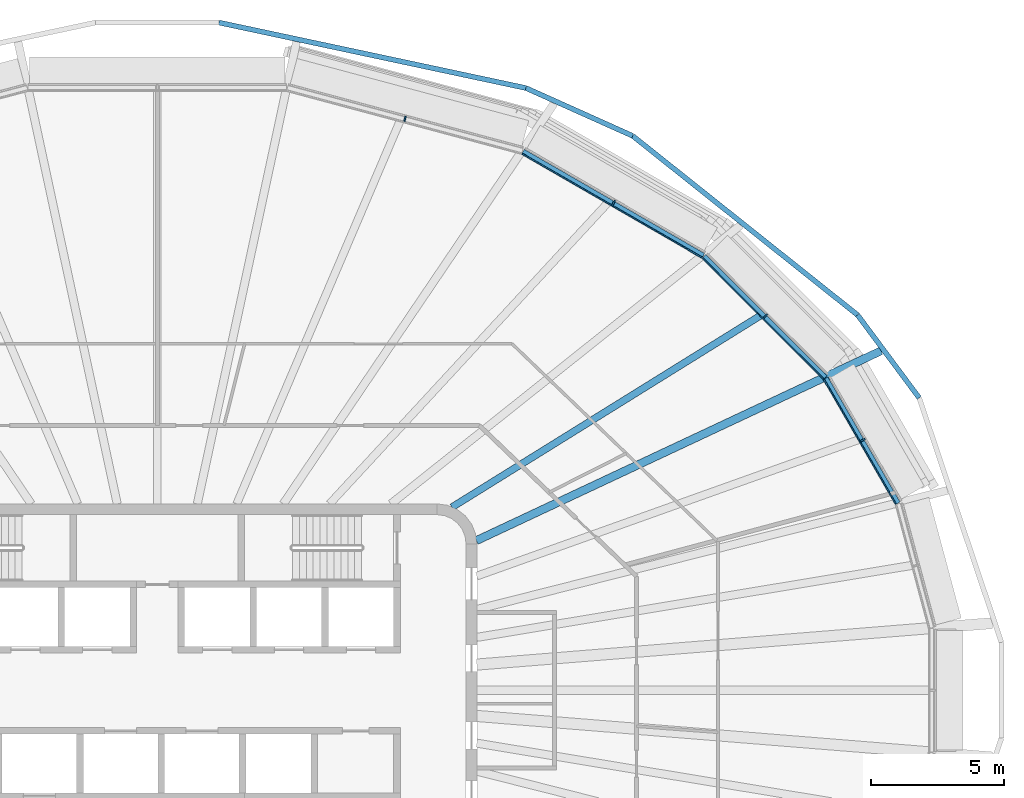
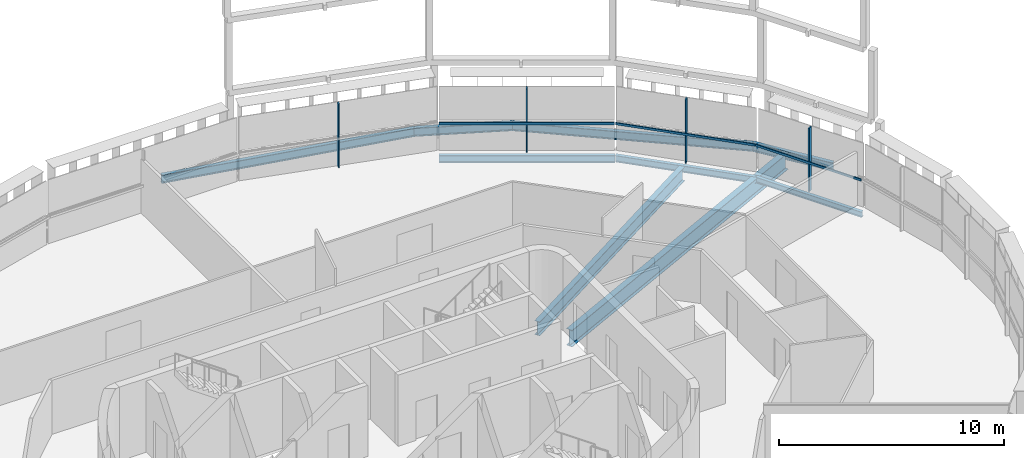
# One storey, part 7 of 19: 9 beams, 7 members, 4 elements without a shape of their own.
"""IFC4 building model written with IfcOpenShell, lengths in metres."""

from ifc_helpers import new_model, si_unit, direction, frame, origin, origin_2d, place, context, subcontext, project, spatial, rectangle, i_section, extrude, material, layer, layer_set, material_profile, profile_set, type_object, element, aggregate, save


model = new_model("IFC4")

# Units and contexts
model_context = context("Model", 3, precision=1e-05, world=origin(), true_north=direction((0.0, 1.0)))
body_context = subcontext(model_context, "Body", "Model", "MODEL_VIEW")
ifc_project = project(units=[si_unit("LENGTHUNIT", "METRE"), si_unit("AREAUNIT", "SQUARE_METRE"), si_unit("VOLUMEUNIT", "CUBIC_METRE"), si_unit("PLANEANGLEUNIT", "RADIAN"), si_unit("MASSUNIT", "GRAM", prefix="KILO")], contexts=[model_context])

# Site, building, storey
site_placement = place(None, origin())
site = spatial("IfcSite", under=ifc_project, at=site_placement, CompositionType="ELEMENT")
building_placement = place(site_placement, origin())
building = spatial("IfcBuilding", under=site, at=building_placement, Name="Sahrelin Media Tower", CompositionType="ELEMENT")
storey_placement = place(building_placement, frame((0.0, 0.0, 279.0)))
storey = spatial("IfcBuildingStorey", under=building, at=storey_placement, Name="L61", CompositionType="ELEMENT", Elevation=279.0)

# Beams
ifc_material_1 = material(Name="Steel S355", Category="steel")
ifc_material_profile_1 = material_profile(ifc_material_1, i_section(OverallWidth=0.1650390625, OverallDepth=0.303466796875, WebThickness=0.006103515625, FlangeThickness=0.01025390625, FilletRadius=0.0087890625, at=origin_2d()), Name="UB 305x165x40")
ifc_profile_set_1 = profile_set([ifc_material_profile_1], Name="Steel S355")
beam_type_1 = type_object("IfcBeamType", Name="Edge beam EB2", PredefinedType="BEAM", material=ifc_profile_set_1)
beam_1_placement = place(storey_placement, frame((25.110595703125, 11.724853515625, -0.3017578125), z_axis=(0.500004447669, -0.866022835906, 0.0), x_axis=(0.866022835906, 0.500004447669, 0.0)))
element("IfcBeam", 1, at=beam_1_placement, inside=storey, type_object=beam_type_1, Name="Edge beam L61-19", PredefinedType="BEAM", context=body_context, shape_type="SweptSolid", body=[
    extrude(i_section(OverallWidth=0.1650390625, OverallDepth=0.303466796875, WebThickness=0.006103515625, FlangeThickness=0.01025390625, FilletRadius=0.0087890625, at=origin_2d()), origin(), (0.0, 0.0, 1.0), 5.4208984375),
])
ifc_material_profile_2 = material_profile(ifc_material_1, i_section(OverallWidth=0.17138671875, OverallDepth=0.35498046875, WebThickness=0.00732421875, FlangeThickness=0.011474609375, FilletRadius=0.01025390625, at=origin_2d()), Name="UB 356x171x51")
ifc_profile_set_2 = profile_set([ifc_material_profile_2], Name="Steel S355")
beam_type_2 = type_object("IfcBeamType", Name="Edge beam EB3", PredefinedType="BEAM", material=ifc_profile_set_2)
beam_2_placement = place(storey_placement, frame((20.533203125, 16.3076171875, -0.327392578125), z_axis=(0.707106781187, -0.707106781187, 0.0), x_axis=(0.707106781187, 0.707106781187, 0.0)))
element("IfcBeam", 2, at=beam_2_placement, inside=storey, type_object=beam_type_2, Name="Edge beam L61-18", PredefinedType="BEAM", context=body_context, shape_type="SweptSolid", body=[
    extrude(i_section(OverallWidth=0.17138671875, OverallDepth=0.35498046875, WebThickness=0.00732421875, FlangeThickness=0.011474609375, FilletRadius=0.01025390625, at=origin_2d()), origin(), (0.0, 0.0, 1.0), 6.448486328125),
])
ifc_material_profile_3 = material_profile(ifc_material_1, i_section(OverallWidth=0.177978515625, OverallDepth=0.406494140625, WebThickness=0.0078125, FlangeThickness=0.0126953125, FilletRadius=0.01025390625, at=origin_2d()), Name="UB 406x178x60")
ifc_profile_set_3 = profile_set([ifc_material_profile_3], Name="Steel S355")
beam_type_3 = type_object("IfcBeamType", Name="Edge beam EB4", PredefinedType="BEAM", material=ifc_profile_set_3)
beam_3_placement = place(storey_placement, frame((13.737548828125, 20.2353515625, -0.353271484375), z_axis=(0.866023391957, -0.500003484571, 0.0), x_axis=(0.500003484571, 0.866023391957, 0.0)))
element("IfcBeam", 3, at=beam_3_placement, inside=storey, type_object=beam_type_3, Name="Edge beam L61-17", PredefinedType="BEAM", context=body_context, shape_type="SweptSolid", body=[
    extrude(i_section(OverallWidth=0.177978515625, OverallDepth=0.406494140625, WebThickness=0.0078125, FlangeThickness=0.0126953125, FilletRadius=0.01025390625, at=origin_2d()), origin(), (0.0, 0.0, 1.0), 7.82080078125),
])

# Curtain wall, member
ifc_material_2 = material(Name="Champagne anodised aluminium 6063-T6", Category="aluminium")
ifc_layer = layer(ifc_material_2, 0.14990234375)
ifc_layer_set = layer_set([ifc_layer], Name="Tower ribbon curtain wall")
curtain_wall_type = type_object("IfcCurtainWallType", Name="Tower ribbon curtain wall", PredefinedType="NOTDEFINED", material=ifc_layer_set)
curtain_wall_1_placement = place(storey_placement, frame((26.595703125, 9.452392578125, 0.0), z_axis=(0.0, 0.0, 1.0), x_axis=(1.0, 0.0, 0.0)))
curtain_wall_1 = element("IfcCurtainWall", 4, at=curtain_wall_1_placement, inside=storey, type_object=curtain_wall_type, Name="L61:CW:L61-02", PredefinedType="NOTDEFINED")
ifc_material_profile_4 = material_profile(ifc_material_2, rectangle(XDim=0.06005859375, YDim=0.199951171875, at=origin_2d()), Name="Mullion 60x200")
ifc_profile_set_4 = profile_set([ifc_material_profile_4], Name="Champagne anodised aluminium 6063-T6")
member_type_1 = type_object("IfcMemberType", Name="Mullion 60x200 CW1C", PredefinedType="MULLION", material=ifc_profile_set_4)
member_1_placement = place(storey_placement, frame((26.49169921875, 9.392578125, 0.0), z_axis=(0.0, 0.0, 1.0), x_axis=(-0.499996976998, 0.866027149108, 0.0)))
member_1 = element("IfcMember", 5, at=member_1_placement, type_object=member_type_1, Name="L61:CWM:L61-02", PredefinedType="MULLION", context=body_context, shape_type="SweptSolid", body=[
    extrude(rectangle(XDim=0.06005859375, YDim=0.199951171875, at=origin_2d()), origin(), (0.0, 0.0, 1.0), 3.448486328125),
])

curtain_wall_2_placement = place(storey_placement, frame((22.919189453125, 14.133544921875, 0.0), z_axis=(0.0, 0.0, 1.0), x_axis=(1.0, 0.0, 0.0)))
curtain_wall_2 = element("IfcCurtainWall", 6, at=curtain_wall_2_placement, inside=storey, type_object=curtain_wall_type, Name="L61:CW:L61-03", PredefinedType="NOTDEFINED")
member_2_placement = place(storey_placement, frame((22.83447265625, 14.048828125, 0.0), z_axis=(0.0, 0.0, 1.0), x_axis=(-0.707106781187, 0.707106781187, 0.0)))
member_2 = element("IfcMember", 7, at=member_2_placement, type_object=member_type_1, Name="L61:CWM:L61-03", PredefinedType="MULLION", context=body_context, shape_type="SweptSolid", body=[
    extrude(rectangle(XDim=0.06005859375, YDim=0.199951171875, at=origin_2d()), origin(), (0.0, 0.0, 1.0), 3.448486328125),
])

curtain_wall_3_placement = place(storey_placement, frame((17.198974609375, 18.41015625, 0.0), z_axis=(0.0, 0.0, 1.0), x_axis=(1.0, 0.0, 0.0)))
curtain_wall_3 = element("IfcCurtainWall", 8, at=curtain_wall_3_placement, inside=storey, type_object=curtain_wall_type, Name="L61:CW:L61-04", PredefinedType="NOTDEFINED")
member_3_placement = place(storey_placement, frame((17.138916015625, 18.30615234375, 0.0), z_axis=(0.0, 0.0, 1.0), x_axis=(-0.866027149108, 0.499996976998, 0.0)))
member_3 = element("IfcMember", 9, at=member_3_placement, type_object=member_type_1, Name="L61:CWM:L61-04", PredefinedType="MULLION", context=body_context, shape_type="SweptSolid", body=[
    extrude(rectangle(XDim=0.06005859375, YDim=0.199951171875, at=origin_2d()), origin(), (0.0, 0.0, 1.0), 3.448486328125),
])

curtain_wall_4_placement = place(storey_placement, frame((9.3359375, 21.573974609375, 0.0), z_axis=(0.0, 0.0, 1.0), x_axis=(1.0, 0.0, 0.0)))
curtain_wall_4 = element("IfcCurtainWall", 10, at=curtain_wall_4_placement, inside=storey, type_object=curtain_wall_type, Name="L61:CW:L61-05", PredefinedType="NOTDEFINED")
member_4_placement = place(storey_placement, frame((9.3046875, 21.4580078125, 0.0), z_axis=(0.0, 0.0, 1.0), x_axis=(-0.965926278012, 0.258817359244, 0.0)))
member_4 = element("IfcMember", 11, at=member_4_placement, type_object=member_type_1, Name="L61:CWM:L61-05", PredefinedType="MULLION", context=body_context, shape_type="SweptSolid", body=[
    extrude(rectangle(XDim=0.06005859375, YDim=0.199951171875, at=origin_2d()), origin(), (0.0, 0.0, 1.0), 3.448486328125),
])
aggregate(curtain_wall_4, [member_4])

# Beams
ifc_material_profile_5 = material_profile(ifc_material_1, i_section(OverallWidth=0.30322265625, OverallDepth=0.903076171875, WebThickness=0.01513671875, FlangeThickness=0.020263671875, FilletRadius=0.01904296875, at=origin_2d()), Name="UB 914x305x201")
ifc_profile_set_5 = profile_set([ifc_material_profile_5], Name="Steel S355")
beam_type_4 = type_object("IfcBeamType", Name="Radial primary beam PB11", PredefinedType="BEAM", material=ifc_profile_set_5)
beam_4_placement = place(storey_placement, frame((11.984130859375, 5.620361328125, -0.6015625), z_axis=(0.905376992167, 0.42460864576, 0.0), x_axis=(-0.42460864576, 0.905376992167, 0.0)))
element("IfcBeam", 12, at=beam_4_placement, inside=storey, type_object=beam_type_4, Name="Radial beam L61-03", PredefinedType="BEAM", context=body_context, shape_type="SweptSolid", body=[
    extrude(i_section(OverallWidth=0.30322265625, OverallDepth=0.903076171875, WebThickness=0.01513671875, FlangeThickness=0.020263671875, FilletRadius=0.01904296875, at=origin_2d()), origin(), (0.0, 0.0, 1.0), 16.78466796875),
])
ifc_material_profile_6 = material_profile(ifc_material_1, i_section(OverallWidth=0.26513671875, OverallDepth=0.75390625, WebThickness=0.0126953125, FlangeThickness=0.017578125, FilletRadius=0.0166015625, at=origin_2d()), Name="UB 762x267x147")
ifc_profile_set_6 = profile_set([ifc_material_profile_6], Name="Steel S355")
beam_type_5 = type_object("IfcBeamType", Name="Radial secondary beam SB9", PredefinedType="BEAM", material=ifc_profile_set_6)
beam_5_placement = place(storey_placement, frame((11.0673828125, 6.87451171875, -0.527099609375), z_axis=(0.849458639342, 0.527655209439, 0.0), x_axis=(-0.527655209439, 0.849458639342, 0.0)))
element("IfcBeam", 13, at=beam_5_placement, inside=storey, type_object=beam_type_5, Name="Secondary beam L61-03", PredefinedType="BEAM", context=body_context, shape_type="SweptSolid", body=[
    extrude(i_section(OverallWidth=0.26513671875, OverallDepth=0.75390625, WebThickness=0.0126953125, FlangeThickness=0.017578125, FilletRadius=0.0166015625, at=origin_2d()), origin(), (0.0, 0.0, 1.0), 13.635498046875),
])
ifc_material_profile_7 = material_profile(ifc_material_1, i_section(OverallWidth=0.1904296875, OverallDepth=0.45703125, WebThickness=0.009033203125, FlangeThickness=0.014404296875, FilletRadius=0.01025390625, at=origin_2d()), Name="UB 457x191x74")
ifc_profile_set_7 = profile_set([ifc_material_profile_7], Name="Steel S355")
beam_type_6 = type_object("IfcBeamType", Name="Tie chord TC5", PredefinedType="BEAM", material=ifc_profile_set_7)
beam_6_placement = place(storey_placement, frame((28.61181640625, 10.981689453125, -0.37841796875), z_axis=(-0.596610251129, 0.802531126031, 0.0), x_axis=(-0.802531126031, -0.596610251129, 0.0)))
element("IfcBeam", 14, at=beam_6_placement, inside=storey, type_object=beam_type_6, Name="Tie chord L61-02", PredefinedType="BEAM", context=body_context, shape_type="SweptSolid", body=[
    extrude(i_section(OverallWidth=0.1904296875, OverallDepth=0.45703125, WebThickness=0.009033203125, FlangeThickness=0.014404296875, FilletRadius=0.01025390625, at=origin_2d()), origin(), (0.0, 0.0, 1.0), 3.878173828125),
])
beam_7_placement = place(storey_placement, frame((26.298095703125, 14.093994140625, -0.37841796875), z_axis=(-0.782259324086, 0.6229529275, 0.0), x_axis=(-0.6229529275, -0.782259324086, 0.0)))
element("IfcBeam", 15, at=beam_7_placement, inside=storey, type_object=beam_type_6, Name="Tie chord L61-03", PredefinedType="BEAM", context=body_context, shape_type="SweptSolid", body=[
    extrude(i_section(OverallWidth=0.1904296875, OverallDepth=0.45703125, WebThickness=0.009033203125, FlangeThickness=0.014404296875, FilletRadius=0.01025390625, at=origin_2d()), origin(), (0.0, 0.0, 1.0), 10.79345703125),
])
beam_8_placement = place(storey_placement, frame((17.854736328125, 20.81787109375, -0.37841796875), z_axis=(-0.91245851259, 0.409169234915, 0.0), x_axis=(-0.409169234915, -0.91245851259, 0.0)))
element("IfcBeam", 16, at=beam_8_placement, inside=storey, type_object=beam_type_6, Name="Tie chord L61-04", PredefinedType="BEAM", context=body_context, shape_type="SweptSolid", body=[
    extrude(i_section(OverallWidth=0.1904296875, OverallDepth=0.45703125, WebThickness=0.009033203125, FlangeThickness=0.014404296875, FilletRadius=0.01025390625, at=origin_2d()), origin(), (0.0, 0.0, 1.0), 4.3916015625),
])
beam_9_placement = place(storey_placement, frame((13.84765625, 22.61474609375, -0.37841796875), z_axis=(-0.977987429466, 0.208663815278, 0.0), x_axis=(-0.208663815278, -0.977987429466, 0.0)))
element("IfcBeam", 17, at=beam_9_placement, inside=storey, type_object=beam_type_6, Name="Tie chord L61-05", PredefinedType="BEAM", context=body_context, shape_type="SweptSolid", body=[
    extrude(i_section(OverallWidth=0.1904296875, OverallDepth=0.45703125, WebThickness=0.009033203125, FlangeThickness=0.014404296875, FilletRadius=0.01025390625, at=origin_2d()), origin(), (0.0, 0.0, 1.0), 11.793701171875),
])

# Member
ifc_material_profile_8 = material_profile(ifc_material_2, rectangle(XDim=0.050048828125, YDim=0.1201171875, at=origin_2d()), Name="Transom 50x120")
ifc_profile_set_8 = profile_set([ifc_material_profile_8], Name="Champagne anodised aluminium 6063-T6")
member_type_2 = type_object("IfcMemberType", Name="Transom 50x120 CW1C", PredefinedType="USERDEFINED", material=ifc_profile_set_8)
member_5_placement = place(storey_placement, frame((27.73095703125, 6.996337890625, 1.60009765625), z_axis=(-0.500007391159, 0.866021136455, 0.0), x_axis=(-0.866021136455, -0.500007391159, 0.0)))
member_5 = element("IfcMember", 18, at=member_5_placement, type_object=member_type_2, Name="L61:CWT:L61-02", ObjectType="TRANSOM", PredefinedType="USERDEFINED", context=body_context, shape_type="SweptSolid", body=[
    extrude(rectangle(XDim=0.050048828125, YDim=0.1201171875, at=origin_2d()), origin(), (0.0, 0.0, 1.0), 5.3896484375),
])

aggregate(curtain_wall_1, [member_1, member_5])

member_6_placement = place(storey_placement, frame((25.014892578125, 11.691650390625, 1.60009765625), z_axis=(-0.707106781187, 0.707106781187, 0.0), x_axis=(-0.707106781187, -0.707106781187, 0.0)))
member_6 = element("IfcMember", 19, at=member_6_placement, type_object=member_type_2, Name="L61:CWT:L61-03", ObjectType="TRANSOM", PredefinedType="USERDEFINED", context=body_context, shape_type="SweptSolid", body=[
    extrude(rectangle(XDim=0.050048828125, YDim=0.1201171875, at=origin_2d()), origin(), (0.0, 0.0, 1.0), 6.417236328125),
])

aggregate(curtain_wall_2, [member_2, member_6])

member_7_placement = place(storey_placement, frame((20.44921875, 16.25048828125, 1.60009765625), z_axis=(-0.866014382239, 0.500019089391, 0.0), x_axis=(-0.500019089391, -0.866014382239, 0.0)))
member_7 = element("IfcMember", 20, at=member_7_placement, type_object=member_type_2, Name="L61:CWT:L61-04", ObjectType="TRANSOM", PredefinedType="USERDEFINED", context=body_context, shape_type="SweptSolid", body=[
    extrude(rectangle(XDim=0.050048828125, YDim=0.1201171875, at=origin_2d()), origin(), (0.0, 0.0, 1.0), 7.789306640625),
])

aggregate(curtain_wall_3, [member_3, member_7])

save(model, "model.ifc")
